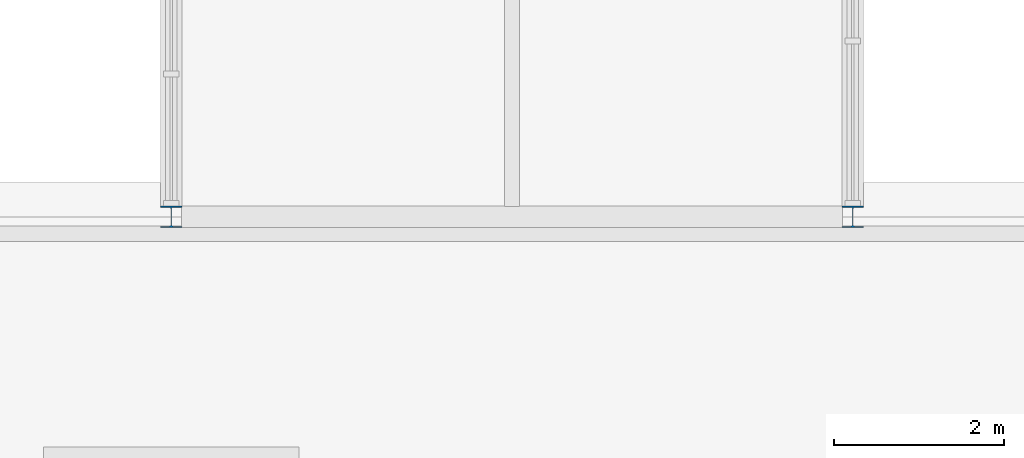
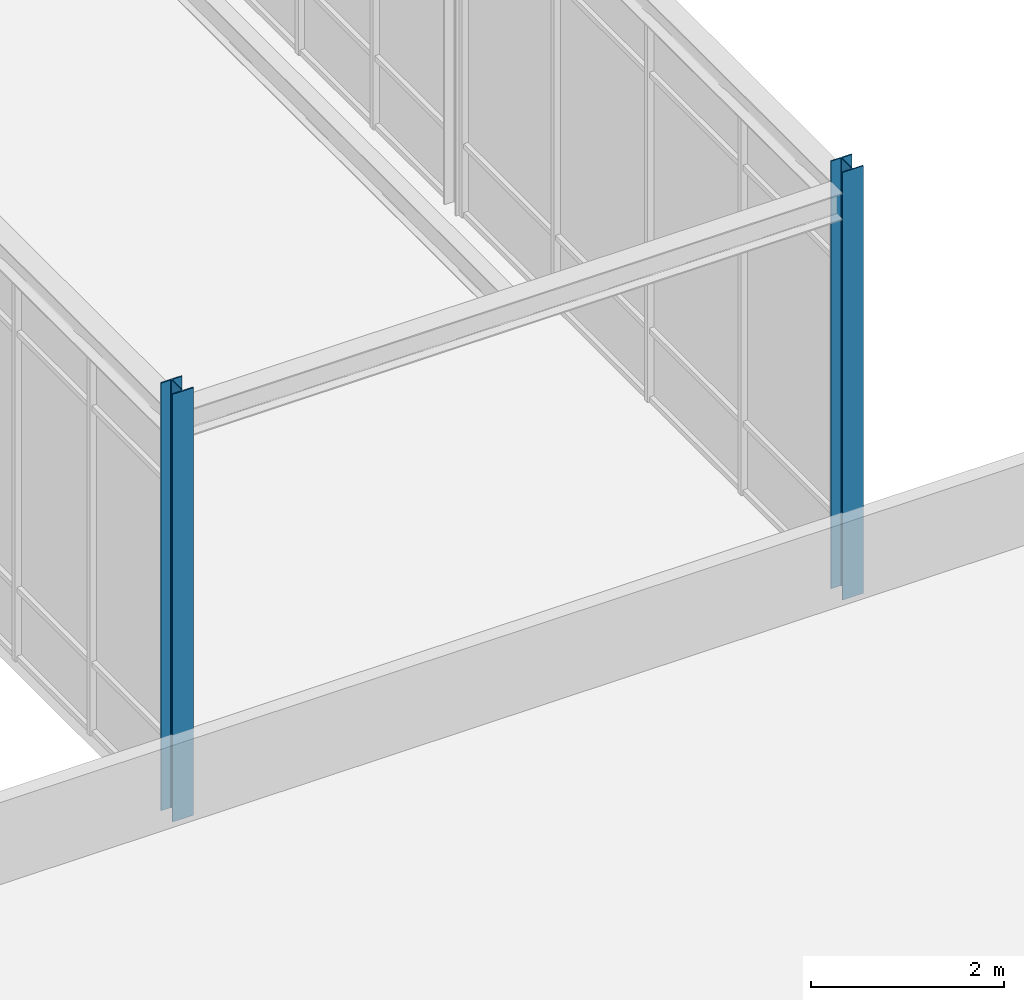
# One storey, part 2 of 108: 2 columns.
"""IFC4 building model written with IfcOpenShell, lengths in metres."""

from ifc_helpers import new_model, si_unit, direction, frame, origin, origin_2d, place, context, subcontext, project, spatial, i_section, extrude, material, material_profile, profile_set, type_object, element, save


model = new_model("IFC4")

# Units and contexts
model_context = context("Model", 3, precision=1e-05, world=origin(), true_north=direction((0.0, 1.0)))
body_context = subcontext(model_context, "Body", "Model", "MODEL_VIEW")
ifc_project = project(units=[si_unit("LENGTHUNIT", "METRE"), si_unit("AREAUNIT", "SQUARE_METRE"), si_unit("VOLUMEUNIT", "CUBIC_METRE"), si_unit("PLANEANGLEUNIT", "RADIAN"), si_unit("MASSUNIT", "GRAM", prefix="KILO")], contexts=[model_context])

# Site, building, storey
site_placement = place(None, origin())
site = spatial("IfcSite", under=ifc_project, at=site_placement, CompositionType="ELEMENT")
building_placement = place(site_placement, origin())
building = spatial("IfcBuilding", under=site, at=building_placement, Name="Zhaolan Boulevard Law Courts", CompositionType="ELEMENT")
storey_placement = place(building_placement, frame((0.0, 0.0, 10.800048828125)))
storey = spatial("IfcBuildingStorey", under=building, at=storey_placement, Name="L02", CompositionType="ELEMENT", Elevation=10.800048828125)

# Columns
ifc_material = material(Name="Structural steel Q355B", Category="steel")
ifc_material_profile = material_profile(ifc_material, i_section(OverallWidth=0.25, OverallDepth=0.25, WebThickness=0.009033203125, FlangeThickness=0.013916015625, FilletRadius=0.01611328125, at=origin_2d()), Name="HW250x250")
ifc_profile_set = profile_set([ifc_material_profile], Name="Structural steel Q355B")
column_type = type_object("IfcColumnType", Name="COL HW250", PredefinedType="COLUMN", material=ifc_profile_set)
for number, where, z_axis, x_axis, name in (
    (1, (52.0, 30.0, 0.0), (0.0, 0.0, 1.0), (1.0, 0.0, 0.0), "Column C-7E (L02)"),
    (2, (60.0, 30.0, 0.0), (0.0, 0.0, 1.0), (1.0, 0.0, 0.0), "Column C-8E (L02)"),
):
    element("IfcColumn", number, at=place(storey_placement, frame(where, z_axis=z_axis, x_axis=x_axis)), inside=storey, type_object=column_type, Name=name, PredefinedType="COLUMN", context=body_context, shape_type="SweptSolid", body=[
        extrude(i_section(OverallWidth=0.25, OverallDepth=0.25, WebThickness=0.009033203125, FlangeThickness=0.013916015625, FilletRadius=0.01611328125, at=origin_2d()), origin(), (0.0, 0.0, 1.0), 5.39990234375),
    ])

save(model, "model.ifc")
